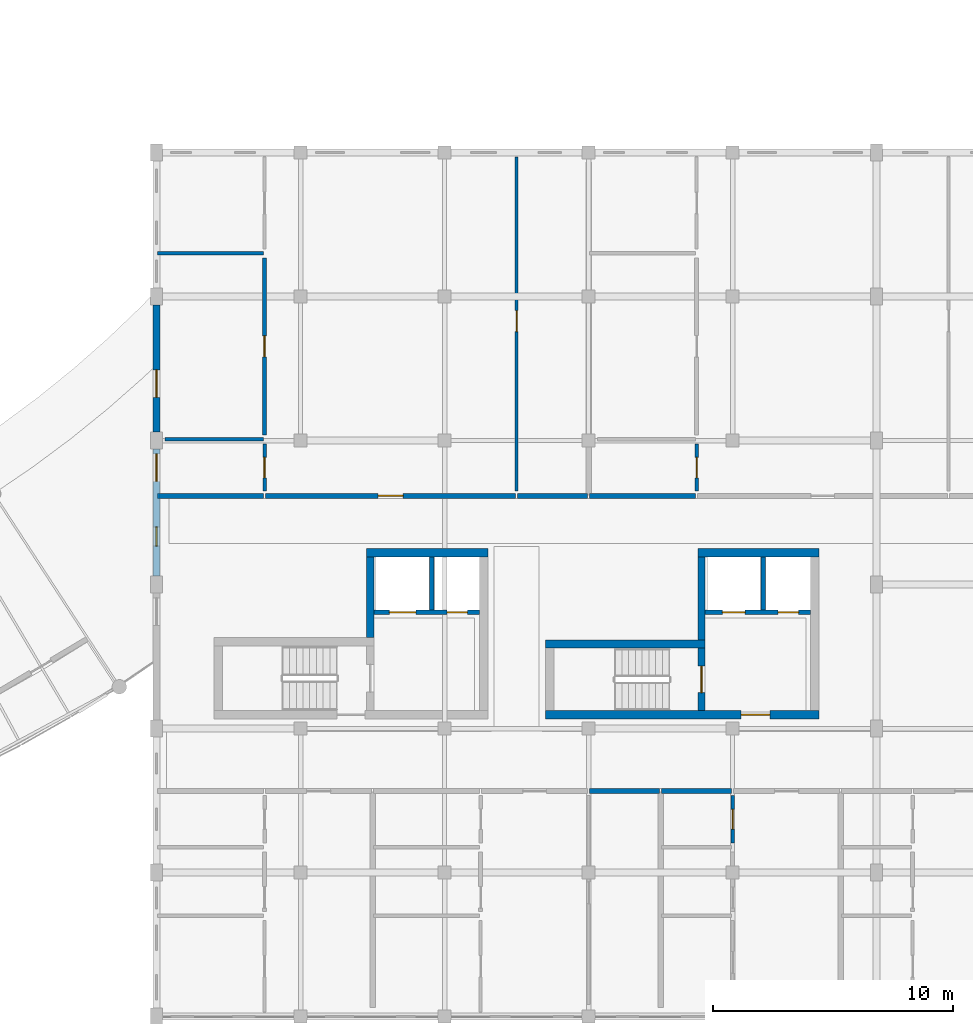
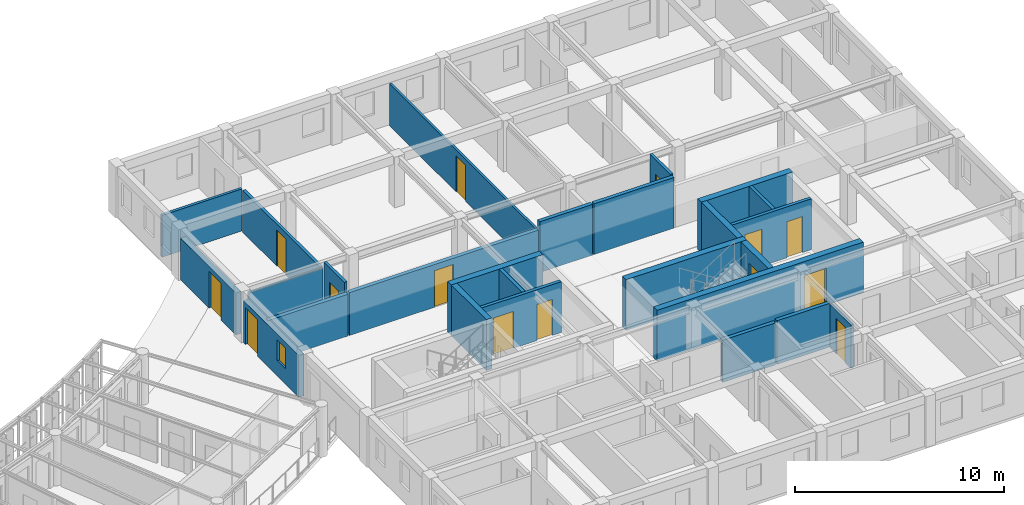
# One storey, part 65 of 101: 26 walls, 14 doors, 1 window, 15 openings.
"""IFC4 building model written with IfcOpenShell, lengths in metres."""

from ifc_helpers import new_model, si_unit, direction, frame, frame_2d, origin, place, context, subcontext, project, spatial, rectangle, extrude, material, layer, layer_set, type_object, element, fill, save


model = new_model("IFC4")

# Units and contexts
model_context = context("Model", 3, precision=1e-05, world=origin(), true_north=direction((0.0, 1.0)))
body_context = subcontext(model_context, "Body", "Model", "MODEL_VIEW")
ifc_project = project(units=[si_unit("LENGTHUNIT", "METRE"), si_unit("AREAUNIT", "SQUARE_METRE"), si_unit("VOLUMEUNIT", "CUBIC_METRE"), si_unit("PLANEANGLEUNIT", "RADIAN"), si_unit("MASSUNIT", "GRAM", prefix="KILO"), si_unit("POWERUNIT", "WATT"), si_unit("THERMODYNAMICTEMPERATUREUNIT", "KELVIN")], contexts=[model_context])

# Site, building, storey
site_placement = place(None, origin())
site = spatial("IfcSite", under=ifc_project, at=site_placement, CompositionType="ELEMENT")
building_placement = place(site_placement, origin())
building = spatial("IfcBuilding", under=site, at=building_placement, Name="Ruvembo Vaulted Housing Court", CompositionType="ELEMENT")
storey_placement = place(building_placement, frame((0.0, 0.0, 17.300048828125)))
storey = spatial("IfcBuildingStorey", under=building, at=storey_placement, Name="L05", CompositionType="ELEMENT", Elevation=17.300048828125)

# Wall
ifc_material_1 = material(Name="Concrete C35/45", Category="concrete")
ifc_layer_1 = layer(ifc_material_1, 0.300048828125, Name="Concrete C35/45")
ifc_layer_set_1 = layer_set([ifc_layer_1], Name="Concrete C35/45")
wall_type_1 = type_object("IfcWallType", Name="WL-CORE-300", PredefinedType="SHEAR", material=ifc_layer_set_1)
wall_1_placement = place(storey_placement, frame((110.89990234375, 15.800048828125, 0.0), z_axis=(0.0, 0.0, 1.0), x_axis=(0.0, 1.0, 0.0)))
element("IfcWall", 1, at=wall_1_placement, inside=storey, type_object=wall_type_1, Name="Core C1 L05 Upper West Shear Wall", PredefinedType="SHEAR", context=body_context, shape_type="SweptSolid", body=[
    extrude(rectangle(XDim=3.349853515625, YDim=0.300048828125, at=frame_2d((1.6748046875, 0.0))), origin(), (0.0, 0.0, 1.0), 2.96484375),
])

# Wall, opening, door
wall_2_placement = place(storey_placement, frame((124.699951171875, 12.75, 0.0), z_axis=(0.0, 0.0, 1.0), x_axis=(0.0, 1.0, 0.0)))
wall_2 = element("IfcWall", 2, at=wall_2_placement, inside=storey, type_object=wall_type_1, Name="Core C2 L05 Stair-Lobby Shear Wall", PredefinedType="SHEAR", context=body_context, shape_type="SweptSolid", body=[
    extrude(rectangle(XDim=2.60009765625, YDim=0.300048828125, at=frame_2d((1.300048828125, 0.0))), origin(), (0.0, 0.0, 1.0), 2.96484375),
])
opening_1_placement = place(wall_2_placement, frame((0.75, 0.0, 0.0)))
opening_1 = element("IfcOpeningElement", 3, at=opening_1_placement, cuts=wall_2, Name="Opening SD2", PredefinedType="OPENING", context=body_context, shape_type="SweptSolid", body=[
    extrude(rectangle(XDim=1.10009765625, YDim=2.14990234375, at=frame_2d((0.550048828125, 1.074951171875))), frame((0.0, 0.159912109375, 0.0), z_axis=(0.0, -1.0, 0.0), x_axis=(1.0, 0.0, 0.0)), (0.0, 0.0, 1.0), 0.320068359375),
])
ifc_material_2 = material(Name="Galvanised Painted Steel", Category="steel")
door_type_1 = type_object("IfcDoorType", Name="DR-STAIR-1100x2150", OperationType="NOTDEFINED", PredefinedType="DOOR", material=ifc_material_2)
door_1_placement = place(opening_1_placement, origin())
door_1 = element("IfcDoor", 4, at=door_1_placement, inside=storey, type_object=door_type_1, Name="Stair ST-C2 L05 Fire Door", OperationType="SINGLE_SWING_LEFT", OverallHeight=2.14990234375, OverallWidth=1.10009765625, PredefinedType="DOOR", context=body_context, shape_type="SweptSolid", body=[
    extrude(rectangle(XDim=1.10009765625, YDim=2.14990234375, at=frame_2d((0.550048828125, 1.074951171875))), frame((0.0, 0.02490234375, 0.0), z_axis=(0.0, -1.0, 0.0), x_axis=(1.0, 0.0, 0.0)), (0.0, 0.0, 1.0), 0.050048828125),
])
fill(opening_1, door_1)

# Walls
wall_3_placement = place(storey_placement, frame((124.699951171875, 15.699951171875, 0.0), z_axis=(0.0, 0.0, 1.0), x_axis=(0.0, 1.0, 0.0)))
element("IfcWall", 5, at=wall_3_placement, inside=storey, type_object=wall_type_1, Name="Core C2 L05 Upper West Shear Wall", PredefinedType="SHEAR", context=body_context, shape_type="SweptSolid", body=[
    extrude(rectangle(XDim=3.449951171875, YDim=0.300048828125, at=frame_2d((1.72509765625, 0.0))), origin(), (0.0, 0.0, 1.0), 2.96484375),
])
ifc_layer_2 = layer(ifc_material_1, 0.35009765625, Name="Concrete C35/45")
ifc_layer_set_2 = layer_set([ifc_layer_2], Name="Concrete C35/45")
wall_type_2 = type_object("IfcWallType", Name="WL-CORE-350", PredefinedType="SHEAR", material=ifc_layer_set_2)
wall_4_placement = place(storey_placement, frame((115.800048828125, 19.324951171875, 0.0), z_axis=(0.0, 0.0, 1.0), x_axis=(-1.0, 0.0, 0.0)))
element("IfcWall", 6, at=wall_4_placement, inside=storey, type_object=wall_type_2, Name="Core C1 L05 North Shear Wall", PredefinedType="SHEAR", context=body_context, shape_type="SweptSolid", body=[
    extrude(rectangle(XDim=5.050048828125, YDim=0.35009765625, at=frame_2d((2.52490234375, 0.0))), origin(), (0.0, 0.0, 1.0), 2.96484375),
])

# Wall, opening, door
wall_5_placement = place(storey_placement, frame((118.199951171875, 12.574951171875, 0.0), z_axis=(0.0, 0.0, 1.0), x_axis=(1.0, 0.0, 0.0)))
wall_5 = element("IfcWall", 7, at=wall_5_placement, inside=storey, type_object=wall_type_2, Name="Core C2 L05 South Shear Wall", PredefinedType="SHEAR", context=body_context, shape_type="SweptSolid", body=[
    extrude(rectangle(XDim=11.400146484375, YDim=0.35009765625, at=frame_2d((5.7001953125, 0.0))), origin(), (0.0, 0.0, 1.0), 2.96484375),
])
opening_2_placement = place(wall_5_placement, frame((8.14990234375, 0.0, 0.0)))
opening_2 = element("IfcOpeningElement", 8, at=opening_2_placement, cuts=wall_5, Name="Opening LD3", PredefinedType="OPENING", context=body_context, shape_type="SweptSolid", body=[
    extrude(rectangle(XDim=1.199951171875, YDim=2.14990234375, at=frame_2d((0.60009765625, 1.074951171875))), frame((0.0, 0.18505859375, 0.0), z_axis=(0.0, -1.0, 0.0), x_axis=(1.0, 0.0, 0.0)), (0.0, 0.0, 1.0), 0.3701171875),
])
door_type_2 = type_object("IfcDoorType", Name="DR-LOB-1200x2150", OperationType="NOTDEFINED", PredefinedType="DOOR", material=ifc_material_2)
door_2_placement = place(opening_2_placement, origin())
door_2 = element("IfcDoor", 9, at=door_2_placement, inside=storey, type_object=door_type_2, Name="Core C2 L05 Lobby Fire Door", OperationType="SINGLE_SWING_RIGHT", OverallHeight=2.14990234375, OverallWidth=1.199951171875, PredefinedType="DOOR", context=body_context, shape_type="SweptSolid", body=[
    extrude(rectangle(XDim=1.199951171875, YDim=2.14990234375, at=frame_2d((0.60009765625, 1.074951171875))), frame((0.0, 0.02490234375, 0.0), z_axis=(0.0, -1.0, 0.0), x_axis=(1.0, 0.0, 0.0)), (0.0, 0.0, 1.0), 0.050048828125),
])
fill(opening_2, door_2)

# Walls
wall_6_placement = place(storey_placement, frame((124.85009765625, 15.52490234375, 0.0), z_axis=(0.0, 0.0, 1.0), x_axis=(-1.0, 0.0, 0.0)))
element("IfcWall", 10, at=wall_6_placement, inside=storey, type_object=wall_type_2, Name="Core C2 L05 Stair North Shear Wall", PredefinedType="SHEAR", context=body_context, shape_type="SweptSolid", body=[
    extrude(rectangle(XDim=6.650146484375, YDim=0.35009765625, at=frame_2d((3.3251953125, 0.0))), origin(), (0.0, 0.0, 1.0), 2.96484375),
])
wall_7_placement = place(storey_placement, frame((129.60009765625, 19.324951171875, 0.0), z_axis=(0.0, 0.0, 1.0), x_axis=(-1.0, 0.0, 0.0)))
element("IfcWall", 11, at=wall_7_placement, inside=storey, type_object=wall_type_2, Name="Core C2 L05 North Shear Wall", PredefinedType="SHEAR", context=body_context, shape_type="SweptSolid", body=[
    extrude(rectangle(XDim=5.050048828125, YDim=0.35009765625, at=frame_2d((2.52490234375, 0.0))), origin(), (0.0, 0.0, 1.0), 2.96484375),
])
ifc_material_3 = material(Name="Concrete Blockwork 210", Category="masonry")
ifc_layer_3 = layer(ifc_material_3, 0.2099609375, Name="Concrete Blockwork 210")
ifc_layer_set_3 = layer_set([ifc_layer_3], Name="Concrete Blockwork 210")
wall_type_3 = type_object("IfcWallType", Name="WL-CORR-210", PredefinedType="SOLIDWALL", material=ifc_layer_set_3)
wall_8_placement = place(storey_placement, frame((120.0400390625, 9.39990234375, 0.0), z_axis=(0.0, 0.0, 1.0), x_axis=(1.0, 0.0, 0.0)))
element("IfcWall", 12, at=wall_8_placement, inside=storey, type_object=wall_type_3, Name="L05 Flat C-L05-S2 Corridor Wall 2 WL-INT-L05-01500", PredefinedType="SOLIDWALL", context=body_context, shape_type="SweptSolid", body=[
    extrude(rectangle(XDim=2.919921875, YDim=0.2099609375, at=frame_2d((1.4599609375, 0.0))), origin(), (0.0, 0.0, 1.0), 2.4580078125),
])
wall_9_placement = place(storey_placement, frame((123.0400390625, 9.39990234375, 0.0), z_axis=(0.0, 0.0, 1.0), x_axis=(1.0, 0.0, 0.0)))
element("IfcWall", 13, at=wall_9_placement, inside=storey, type_object=wall_type_3, Name="L05 Flat C-L05-S3 Corridor Wall WL-INT-L05-01503", PredefinedType="SOLIDWALL", context=body_context, shape_type="SweptSolid", body=[
    extrude(rectangle(XDim=2.919921875, YDim=0.2099609375, at=frame_2d((1.4599609375, 0.0))), origin(), (0.0, 0.0, 1.0), 2.5478515625),
])
wall_10_placement = place(storey_placement, frame((102.0400390625, 21.699951171875, 0.0), z_axis=(0.0, 0.0, 1.0), x_axis=(1.0, 0.0, 0.0)))
element("IfcWall", 14, at=wall_10_placement, inside=storey, type_object=wall_type_3, Name="L05 Flat C-L05-N1 Corridor Wall WL-INT-L05-01518", PredefinedType="SOLIDWALL", context=body_context, shape_type="SweptSolid", body=[
    extrude(rectangle(XDim=4.419921875, YDim=0.2099609375, at=frame_2d((2.2099609375, 0.0))), origin(), (0.0, 0.0, 1.0), 2.447021484375),
])

# Wall, opening, door
wall_11_placement = place(storey_placement, frame((106.5400390625, 21.699951171875, 0.0), z_axis=(0.0, 0.0, 1.0), x_axis=(1.0, 0.0, 0.0)))
wall_11 = element("IfcWall", 15, at=wall_11_placement, inside=storey, type_object=wall_type_3, Name="L05 Flat C-L05-N1 Entrance WL-INT-L05-01519", PredefinedType="SOLIDWALL", context=body_context, shape_type="SweptSolid", body=[
    extrude(rectangle(XDim=10.419921875, YDim=0.2099609375, at=frame_2d((5.2099609375, 0.0))), origin(), (0.0, 0.0, 1.0), 2.508056640625),
])
opening_3_placement = place(wall_11_placement, frame((4.68505859375, 0.0, 0.0)))
opening_3 = element("IfcOpeningElement", 16, at=opening_3_placement, cuts=wall_11, Name="Opening FD3", PredefinedType="OPENING", context=body_context, shape_type="SweptSolid", body=[
    extrude(rectangle(XDim=1.050048828125, YDim=2.14990234375, at=frame_2d((0.52490234375, 1.074951171875))), frame((0.0, 0.114990234375, 0.0), z_axis=(0.0, -1.0, 0.0), x_axis=(1.0, 0.0, 0.0)), (0.0, 0.0, 1.0), 0.22998046875),
])
ifc_material_4 = material(Name="FSC Hardwood and Engineered Timber", Category="wood")
door_type_3 = type_object("IfcDoorType", Name="DR-FLAT-1050x2150", OperationType="NOTDEFINED", PredefinedType="DOOR", material=ifc_material_4)
door_3_placement = place(opening_3_placement, origin())
door_3 = element("IfcDoor", 17, at=door_3_placement, inside=storey, type_object=door_type_3, Name="L05 Flat C-L05-N1 Entrance Door DR-INT-L05-00851", OperationType="SINGLE_SWING_LEFT", OverallHeight=2.14990234375, OverallWidth=1.050048828125, PredefinedType="DOOR", context=body_context, shape_type="SweptSolid", body=[
    extrude(rectangle(XDim=1.050048828125, YDim=2.14990234375, at=frame_2d((0.52490234375, 1.074951171875))), frame((0.0, 0.02490234375, 0.0), z_axis=(0.0, -1.0, 0.0), x_axis=(1.0, 0.0, 0.0)), (0.0, 0.0, 1.0), 0.050048828125),
])
fill(opening_3, door_3)

# Walls
wall_12_placement = place(storey_placement, frame((117.0400390625, 21.699951171875, 0.0), z_axis=(0.0, 0.0, 1.0), x_axis=(1.0, 0.0, 0.0)))
element("IfcWall", 18, at=wall_12_placement, inside=storey, type_object=wall_type_3, Name="L05 Flat C-L05-N1 Corridor Wall 2 WL-INT-L05-01525", PredefinedType="SOLIDWALL", context=body_context, shape_type="SweptSolid", body=[
    extrude(rectangle(XDim=2.919921875, YDim=0.2099609375, at=frame_2d((1.4599609375, 0.0))), origin(), (0.0, 0.0, 1.0), 2.96484375),
])
wall_13_placement = place(storey_placement, frame((120.0400390625, 21.699951171875, 0.0), z_axis=(0.0, 0.0, 1.0), x_axis=(1.0, 0.0, 0.0)))
element("IfcWall", 19, at=wall_13_placement, inside=storey, type_object=wall_type_3, Name="L05 Flat C-L05-N2 Corridor Wall WL-INT-L05-01527", PredefinedType="SOLIDWALL", context=body_context, shape_type="SweptSolid", body=[
    extrude(rectangle(XDim=4.419921875, YDim=0.2099609375, at=frame_2d((2.2099609375, 0.0))), origin(), (0.0, 0.0, 1.0), 2.96484375),
])

# Wall, opening, door
ifc_material_5 = material(Name="Rendered Masonry 285", Category="masonry")
ifc_layer_4 = layer(ifc_material_5, 0.284912109375, Name="Rendered Masonry 285")
ifc_layer_set_4 = layer_set([ifc_layer_4], Name="Rendered Masonry 285")
wall_type_4 = type_object("IfcWallType", Name="WL-EXT-285", PredefinedType="STANDARD", material=ifc_layer_set_4)
wall_14_placement = place(storey_placement, frame((102.0, 29.64990234375, 0.0), z_axis=(0.0, 0.0, 1.0), x_axis=(0.0, -1.0, 0.0)))
wall_14 = element("IfcWall", 20, at=wall_14_placement, inside=storey, type_object=wall_type_4, Name="Block C L05 Exterior Wall WEST #2", PredefinedType="STANDARD", context=body_context, shape_type="SweptSolid", body=[
    extrude(rectangle(XDim=5.2998046875, YDim=0.284912109375, at=frame_2d((2.64990234375, 0.0))), origin(), (0.0, 0.0, 1.0), 2.447021484375),
])
opening_4_placement = place(wall_14_placement, frame((2.699951171875, 0.0, 0.0)))
opening_4 = element("IfcOpeningElement", 21, at=opening_4_placement, cuts=wall_14, Name="Opening GD1", PredefinedType="OPENING", context=body_context, shape_type="SweptSolid", body=[
    extrude(rectangle(XDim=1.14990234375, YDim=2.14990234375, at=frame_2d((0.574951171875, 1.074951171875))), frame((0.0, 0.15234375, 0.0), z_axis=(0.0, -1.0, 0.0), x_axis=(1.0, 0.0, 0.0)), (0.0, 0.0, 1.0), 0.304931640625),
])
ifc_material_6 = material(Name="Thermally Broken Glazed Aluminium", Category="aluminium")
door_type_4 = type_object("IfcDoorType", Name="DR-GAL-1150x2150", OperationType="NOTDEFINED", PredefinedType="DOOR", material=ifc_material_6)
door_4_placement = place(opening_4_placement, frame((1.14990234375, 0.0, 0.0), z_axis=(0.0, 0.0, 1.0), x_axis=(-1.0, 0.0, 0.0)))
door_4 = element("IfcDoor", 22, at=door_4_placement, inside=storey, type_object=door_type_4, Name="Block C L05 Terrace or Gallery Door DR-TER-C-L05-062", OperationType="SINGLE_SWING_LEFT", OverallHeight=2.14990234375, OverallWidth=1.14990234375, PredefinedType="DOOR", context=body_context, shape_type="SweptSolid", body=[
    extrude(rectangle(XDim=1.14990234375, YDim=2.14990234375, at=frame_2d((0.574951171875, 1.074951171875))), frame((0.0, 0.02490234375, 0.0), z_axis=(0.0, -1.0, 0.0), x_axis=(1.0, 0.0, 0.0)), (0.0, 0.0, 1.0), 0.050048828125),
])
fill(opening_4, door_4)

# Wall, openings, door, window
wall_15_placement = place(storey_placement, frame((102.0, 23.64990234375, 0.0), z_axis=(0.0, 0.0, 1.0), x_axis=(0.0, -1.0, 0.0)))
wall_15 = element("IfcWall", 23, at=wall_15_placement, inside=storey, type_object=wall_type_4, Name="Block C L05 Exterior Wall WEST #3", PredefinedType="STANDARD", context=body_context, shape_type="SweptSolid", body=[
    extrude(rectangle(XDim=5.2998046875, YDim=0.284912109375, at=frame_2d((2.64990234375, 0.0))), origin(), (0.0, 0.0, 1.0), 2.447021484375),
])
opening_5_placement = place(wall_15_placement, frame((0.199951171875, 0.0, 0.0)))
opening_5 = element("IfcOpeningElement", 24, at=opening_5_placement, cuts=wall_15, Name="Opening GD1", PredefinedType="OPENING", context=body_context, shape_type="SweptSolid", body=[
    extrude(rectangle(XDim=1.14990234375, YDim=2.14990234375, at=frame_2d((0.574951171875, 1.074951171875))), frame((0.0, 0.15234375, 0.0), z_axis=(0.0, -1.0, 0.0), x_axis=(1.0, 0.0, 0.0)), (0.0, 0.0, 1.0), 0.304931640625),
])
opening_6_placement = place(wall_15_placement, frame((3.2451171875, 0.0, 0.89990234375)))
opening_6 = element("IfcOpeningElement", 25, at=opening_6_placement, cuts=wall_15, Name="Opening W02", PredefinedType="OPENING", context=body_context, shape_type="SweptSolid", body=[
    extrude(rectangle(XDim=0.800048828125, YDim=1.199951171875, at=frame_2d((0.39990234375, 0.60009765625))), frame((0.0, 0.15234375, 0.0), z_axis=(0.0, -1.0, 0.0), x_axis=(1.0, 0.0, 0.0)), (0.0, 0.0, 1.0), 0.304931640625),
])
door_5_placement = place(opening_5_placement, frame((1.14990234375, 0.0, 0.0), z_axis=(0.0, 0.0, 1.0), x_axis=(-1.0, 0.0, 0.0)))
door_5 = element("IfcDoor", 26, at=door_5_placement, inside=storey, type_object=door_type_4, Name="Block C L05 Terrace or Gallery Door DR-TER-C-L05-063", OperationType="SINGLE_SWING_RIGHT", OverallHeight=2.14990234375, OverallWidth=1.14990234375, PredefinedType="DOOR", context=body_context, shape_type="SweptSolid", body=[
    extrude(rectangle(XDim=1.14990234375, YDim=2.14990234375, at=frame_2d((0.574951171875, 1.074951171875))), frame((0.0, 0.02490234375, 0.0), z_axis=(0.0, -1.0, 0.0), x_axis=(1.0, 0.0, 0.0)), (0.0, 0.0, 1.0), 0.050048828125),
])
fill(opening_5, door_5)
ifc_material_7 = material(Name="Double Solar-Control Glazing in Aluminium Frame", Category="aluminium")
window_type = type_object("IfcWindowType", Name="WIN-0800x1200", PartitioningType="SINGLE_PANEL", PredefinedType="WINDOW", material=ifc_material_7)
window_placement = place(opening_6_placement, origin())
window = element("IfcWindow", 27, at=window_placement, inside=storey, type_object=window_type, Name="Block C L05 Window #1320", OverallHeight=1.199951171875, OverallWidth=0.800048828125, PartitioningType="SINGLE_PANEL", PredefinedType="WINDOW", context=body_context, shape_type="SweptSolid", body=[
    extrude(rectangle(XDim=0.800048828125, YDim=1.199951171875, at=frame_2d((0.39990234375, 0.60009765625))), frame((0.0, 0.030029296875, 0.0), z_axis=(0.0, -1.0, 0.0), x_axis=(1.0, 0.0, 0.0)), (0.0, 0.0, 1.0), 0.06005859375),
])
fill(opening_6, window)

# Wall, opening, door
ifc_material_8 = material(Name="Plasterboard Stud Partition 125", Category="gypsum")
ifc_layer_5 = layer(ifc_material_8, 0.125, Name="Plasterboard Stud Partition 125")
ifc_layer_set_5 = layer_set([ifc_layer_5], Name="Plasterboard Stud Partition 125")
wall_type_5 = type_object("IfcWallType", Name="WL-PART-125", PredefinedType="PARTITIONING", material=ifc_layer_set_5)
wall_16_placement = place(storey_placement, frame((117.0, 21.889892578125, 0.0), z_axis=(0.0, 0.0, 1.0), x_axis=(0.0, 1.0, 0.0)))
wall_16 = element("IfcWall", 28, at=wall_16_placement, inside=storey, type_object=wall_type_5, Name="L05 Flat C-L05-N1 Bedroom 2 WL-INT-L05-01526", PredefinedType="PARTITIONING", context=body_context, shape_type="SweptSolid", body=[
    extrude(rectangle(XDim=13.920166015625, YDim=0.125, at=frame_2d((6.9599609375, 0.0))), origin(), (0.0, 0.0, 1.0), 2.447021484375),
])
opening_7_placement = place(wall_16_placement, frame((6.64990234375, 0.0, 0.0)))
opening_7 = element("IfcOpeningElement", 29, at=opening_7_placement, cuts=wall_16, Name="Opening ID3", PredefinedType="OPENING", context=body_context, shape_type="SweptSolid", body=[
    extrude(rectangle(XDim=0.8798828125, YDim=2.10009765625, at=frame_2d((0.43994140625, 1.050048828125))), frame((0.0, 0.072509765625, 0.0), z_axis=(0.0, -1.0, 0.0), x_axis=(1.0, 0.0, 0.0)), (0.0, 0.0, 1.0), 0.14501953125),
])
door_type_5 = type_object("IfcDoorType", Name="DR-ROOM-0880x2100", OperationType="NOTDEFINED", PredefinedType="DOOR", material=ifc_material_4)
door_6_placement = place(opening_7_placement, origin())
door_6 = element("IfcDoor", 30, at=door_6_placement, inside=storey, type_object=door_type_5, Name="L05 Flat C-L05-N1 Bedroom 2 Door DR-INT-L05-00855", OperationType="SINGLE_SWING_LEFT", OverallHeight=2.10009765625, OverallWidth=0.8798828125, PredefinedType="DOOR", context=body_context, shape_type="SweptSolid", body=[
    extrude(rectangle(XDim=0.8798828125, YDim=2.10009765625, at=frame_2d((0.43994140625, 1.050048828125))), frame((0.0, 0.02490234375, 0.0), z_axis=(0.0, -1.0, 0.0), x_axis=(1.0, 0.0, 0.0)), (0.0, 0.0, 1.0), 0.050048828125),
])
fill(opening_7, door_6)

ifc_material_9 = material(Name="Moisture-Resistant Wet Partition 150", Category="gypsum")
ifc_layer_6 = layer(ifc_material_9, 0.14990234375, Name="Moisture-Resistant Wet Partition 150")
ifc_layer_set_6 = layer_set([ifc_layer_6], Name="Moisture-Resistant Wet Partition 150")
wall_type_6 = type_object("IfcWallType", Name="WL-PART-150", PredefinedType="PARTITIONING", material=ifc_layer_set_6)
wall_17_placement = place(storey_placement, frame((126.0, 7.239990234375, 0.0), z_axis=(0.0, 0.0, 1.0), x_axis=(0.0, 1.0, 0.0)))
wall_17 = element("IfcWall", 31, at=wall_17_placement, inside=storey, type_object=wall_type_6, Name="L05 Flat C-L05-S3 Bathroom WL-INT-L05-01507", PredefinedType="PARTITIONING", context=body_context, shape_type="SweptSolid", body=[
    extrude(rectangle(XDim=1.969970703125, YDim=0.14990234375, at=frame_2d((0.98486328125, 0.0))), origin(), (0.0, 0.0, 1.0), 2.5478515625),
])
opening_8_placement = place(wall_17_placement, frame((0.574951171875, 0.0, 0.0)))
opening_8 = element("IfcOpeningElement", 32, at=opening_8_placement, cuts=wall_17, Name="Opening ID4", PredefinedType="OPENING", context=body_context, shape_type="SweptSolid", body=[
    extrude(rectangle(XDim=0.820068359375, YDim=2.080078125, at=frame_2d((0.41015625, 1.0400390625))), frame((0.0, 0.0849609375, 0.0), z_axis=(0.0, -1.0, 0.0), x_axis=(1.0, 0.0, 0.0)), (0.0, 0.0, 1.0), 0.169921875),
])
door_type_6 = type_object("IfcDoorType", Name="DR-WET-0820x2080", OperationType="NOTDEFINED", PredefinedType="DOOR", material=ifc_material_4)
door_7_placement = place(opening_8_placement, origin())
door_7 = element("IfcDoor", 33, at=door_7_placement, inside=storey, type_object=door_type_6, Name="L05 Flat C-L05-S3 Bathroom Door DR-INT-L05-00846", OperationType="SINGLE_SWING_RIGHT", OverallHeight=2.080078125, OverallWidth=0.820068359375, PredefinedType="DOOR", context=body_context, shape_type="SweptSolid", body=[
    extrude(rectangle(XDim=0.820068359375, YDim=2.080078125, at=frame_2d((0.41015625, 1.0400390625))), frame((0.0, 0.02490234375, 0.0), z_axis=(0.0, -1.0, 0.0), x_axis=(1.0, 0.0, 0.0)), (0.0, 0.0, 1.0), 0.050048828125),
])
fill(opening_8, door_7)

wall_18_placement = place(storey_placement, frame((106.5, 21.889892578125, 0.0), z_axis=(0.0, 0.0, 1.0), x_axis=(0.0, 1.0, 0.0)))
wall_18 = element("IfcWall", 34, at=wall_18_placement, inside=storey, type_object=wall_type_6, Name="L05 Flat C-L05-N1 Bathroom WL-INT-L05-01522", PredefinedType="PARTITIONING", context=body_context, shape_type="SweptSolid", body=[
    extrude(rectangle(XDim=1.97021484375, YDim=0.14990234375, at=frame_2d((0.985107421875, 0.0))), origin(), (0.0, 0.0, 1.0), 2.96484375),
])
opening_9_placement = place(wall_18_placement, frame((0.56005859375, 0.0, 0.0)))
opening_9 = element("IfcOpeningElement", 35, at=opening_9_placement, cuts=wall_18, Name="Opening ID2", PredefinedType="OPENING", context=body_context, shape_type="SweptSolid", body=[
    extrude(rectangle(XDim=0.85009765625, YDim=2.10009765625, at=frame_2d((0.425048828125, 1.050048828125))), frame((0.0, 0.0849609375, 0.0), z_axis=(0.0, -1.0, 0.0), x_axis=(1.0, 0.0, 0.0)), (0.0, 0.0, 1.0), 0.169921875),
])
door_type_7 = type_object("IfcDoorType", Name="DR-WET-0850x2100", OperationType="NOTDEFINED", PredefinedType="DOOR", material=ifc_material_4)
door_8_placement = place(opening_9_placement, origin())
door_8 = element("IfcDoor", 36, at=door_8_placement, inside=storey, type_object=door_type_7, Name="L05 Flat C-L05-N1 Bathroom Door DR-INT-L05-00854", OperationType="SINGLE_SWING_RIGHT", OverallHeight=2.10009765625, OverallWidth=0.85009765625, PredefinedType="DOOR", context=body_context, shape_type="SweptSolid", body=[
    extrude(rectangle(XDim=0.85009765625, YDim=2.10009765625, at=frame_2d((0.425048828125, 1.050048828125))), frame((0.0, 0.02490234375, 0.0), z_axis=(0.0, -1.0, 0.0), x_axis=(1.0, 0.0, 0.0)), (0.0, 0.0, 1.0), 0.050048828125),
])
fill(opening_9, door_8)

# Walls
wall_19_placement = place(storey_placement, frame((102.0400390625, 31.800048828125, 0.0), z_axis=(0.0, 0.0, 1.0), x_axis=(1.0, 0.0, 0.0)))
element("IfcWall", 37, at=wall_19_placement, inside=storey, type_object=wall_type_6, Name="L05 Flat C-L05-N1 Wet Wall 1 WL-INT-L05-01523", PredefinedType="PARTITIONING", context=body_context, shape_type="SweptSolid", body=[
    extrude(rectangle(XDim=4.419921875, YDim=0.14990234375, at=frame_2d((2.2099609375, 0.0))), origin(), (0.0, 0.0, 1.0), 2.447021484375),
])
wall_20_placement = place(storey_placement, frame((102.360107421875, 24.050048828125, 0.0), z_axis=(0.0, 0.0, 1.0), x_axis=(1.0, 0.0, 0.0)))
element("IfcWall", 38, at=wall_20_placement, inside=storey, type_object=wall_type_6, Name="L05 Flat C-L05-N1 Wet Wall 2 WL-INT-L05-01524", PredefinedType="PARTITIONING", context=body_context, shape_type="SweptSolid", body=[
    extrude(rectangle(XDim=4.099853515625, YDim=0.14990234375, at=frame_2d((2.0498046875, 0.0))), origin(), (0.0, 0.0, 1.0), 2.508056640625),
])

# Wall, opening, door
wall_21_placement = place(storey_placement, frame((124.5, 21.889892578125, 0.0), z_axis=(0.0, 0.0, 1.0), x_axis=(0.0, 1.0, 0.0)))
wall_21 = element("IfcWall", 39, at=wall_21_placement, inside=storey, type_object=wall_type_6, Name="L05 Flat C-L05-N2 Bathroom WL-INT-L05-01531", PredefinedType="PARTITIONING", context=body_context, shape_type="SweptSolid", body=[
    extrude(rectangle(XDim=1.97021484375, YDim=0.14990234375, at=frame_2d((0.985107421875, 0.0))), origin(), (0.0, 0.0, 1.0), 2.96484375),
])
opening_10_placement = place(wall_21_placement, frame((0.56005859375, 0.0, 0.0)))
opening_10 = element("IfcOpeningElement", 40, at=opening_10_placement, cuts=wall_21, Name="Opening ID2", PredefinedType="OPENING", context=body_context, shape_type="SweptSolid", body=[
    extrude(rectangle(XDim=0.85009765625, YDim=2.10009765625, at=frame_2d((0.425048828125, 1.050048828125))), frame((0.0, 0.0849609375, 0.0), z_axis=(0.0, -1.0, 0.0), x_axis=(1.0, 0.0, 0.0)), (0.0, 0.0, 1.0), 0.169921875),
])
door_9_placement = place(opening_10_placement, origin())
door_9 = element("IfcDoor", 41, at=door_9_placement, inside=storey, type_object=door_type_7, Name="L05 Flat C-L05-N2 Bathroom Door DR-INT-L05-00859", OperationType="SINGLE_SWING_LEFT", OverallHeight=2.10009765625, OverallWidth=0.85009765625, PredefinedType="DOOR", context=body_context, shape_type="SweptSolid", body=[
    extrude(rectangle(XDim=0.85009765625, YDim=2.10009765625, at=frame_2d((0.425048828125, 1.050048828125))), frame((0.0, 0.02490234375, 0.0), z_axis=(0.0, -1.0, 0.0), x_axis=(1.0, 0.0, 0.0)), (0.0, 0.0, 1.0), 0.050048828125),
])
fill(opening_10, door_9)

ifc_material_10 = material(Name="Acoustic Service Chase Wall 160", Category="gypsum")
ifc_layer_7 = layer(ifc_material_10, 0.159912109375, Name="Acoustic Service Chase Wall 160")
ifc_layer_set_7 = layer_set([ifc_layer_7], Name="Acoustic Service Chase Wall 160")
wall_type_7 = type_object("IfcWallType", Name="WL-PLUMB-160", PredefinedType="PLUMBINGWALL", material=ifc_layer_set_7)
wall_22_placement = place(storey_placement, frame((106.5, 24.239990234375, 0.0), z_axis=(0.0, 0.0, 1.0), x_axis=(0.0, 1.0, 0.0)))
wall_22 = element("IfcWall", 42, at=wall_22_placement, inside=storey, type_object=wall_type_7, Name="L05 Flat C-L05-N1 Kitchen WL-INT-L05-01521", PredefinedType="PLUMBINGWALL", context=body_context, shape_type="SweptSolid", body=[
    extrude(rectangle(XDim=7.3701171875, YDim=0.159912109375, at=frame_2d((3.68505859375, 0.0))), origin(), (0.0, 0.0, 1.0), 2.447021484375),
])
opening_11_placement = place(wall_22_placement, frame((3.2451171875, 0.0, 0.0)))
opening_11 = element("IfcOpeningElement", 43, at=opening_11_placement, cuts=wall_22, Name="Opening ID3", PredefinedType="OPENING", context=body_context, shape_type="SweptSolid", body=[
    extrude(rectangle(XDim=0.8798828125, YDim=2.10009765625, at=frame_2d((0.43994140625, 1.050048828125))), frame((0.0, 0.08984375, 0.0), z_axis=(0.0, -1.0, 0.0), x_axis=(1.0, 0.0, 0.0)), (0.0, 0.0, 1.0), 0.179931640625),
])
door_10_placement = place(opening_11_placement, origin())
door_10 = element("IfcDoor", 44, at=door_10_placement, inside=storey, type_object=door_type_5, Name="L05 Flat C-L05-N1 Kitchen Door DR-INT-L05-00853", OperationType="SINGLE_SWING_LEFT", OverallHeight=2.10009765625, OverallWidth=0.8798828125, PredefinedType="DOOR", context=body_context, shape_type="SweptSolid", body=[
    extrude(rectangle(XDim=0.8798828125, YDim=2.10009765625, at=frame_2d((0.43994140625, 1.050048828125))), frame((0.0, 0.02490234375, 0.0), z_axis=(0.0, -1.0, 0.0), x_axis=(1.0, 0.0, 0.0)), (0.0, 0.0, 1.0), 0.050048828125),
])
fill(opening_11, door_10)

# Wall, openings, doors
ifc_material_11 = material(Name="Fire-Rated Masonry Shaft 180", Category="masonry")
ifc_layer_8 = layer(ifc_material_11, 0.179931640625, Name="Fire-Rated Masonry Shaft 180")
ifc_layer_set_8 = layer_set([ifc_layer_8], Name="Fire-Rated Masonry Shaft 180")
wall_type_8 = type_object("IfcWallType", Name="WL-SHAFT-180", PredefinedType="SOLIDWALL", material=ifc_layer_set_8)
wall_23_placement = place(storey_placement, frame((111.050048828125, 16.85009765625, 0.0), z_axis=(0.0, 0.0, 1.0), x_axis=(1.0, 0.0, 0.0)))
wall_23 = element("IfcWall", 45, at=wall_23_placement, inside=storey, type_object=wall_type_8, Name="Core C1 L05 Lift and Riser Front Wall", PredefinedType="SOLIDWALL", context=body_context, shape_type="SweptSolid", body=[
    extrude(rectangle(XDim=4.39990234375, YDim=0.179931640625, at=frame_2d((2.199951171875, 0.0))), origin(), (0.0, 0.0, 1.0), 2.96484375),
])
opening_12_placement = place(wall_23_placement, frame((0.64990234375, 0.0, 0.0)))
opening_12 = element("IfcOpeningElement", 46, at=opening_12_placement, cuts=wall_23, Name="Opening LD-LP-C1-L05", PredefinedType="OPENING", context=body_context, shape_type="SweptSolid", body=[
    extrude(rectangle(XDim=1.10009765625, YDim=2.14990234375, at=frame_2d((0.550048828125, 1.074951171875))), frame((0.0, 0.099853515625, 0.0), z_axis=(0.0, -1.0, 0.0), x_axis=(1.0, 0.0, 0.0)), (0.0, 0.0, 1.0), 0.199951171875),
])
opening_13_placement = place(wall_23_placement, frame((3.050048828125, 0.0, 0.0)))
opening_13 = element("IfcOpeningElement", 47, at=opening_13_placement, cuts=wall_23, Name="Opening RD1", PredefinedType="OPENING", context=body_context, shape_type="SweptSolid", body=[
    extrude(rectangle(XDim=0.85009765625, YDim=2.10009765625, at=frame_2d((0.425048828125, 1.050048828125))), frame((0.0, 0.099853515625, 0.0), z_axis=(0.0, -1.0, 0.0), x_axis=(1.0, 0.0, 0.0)), (0.0, 0.0, 1.0), 0.199951171875),
])
ifc_material_12 = material(Name="Brushed Stainless Steel 304", Category="steel")
door_type_8 = type_object("IfcDoorType", Name="DR-LIFT-1100x2150", OperationType="NOTDEFINED", PredefinedType="DOOR", material=ifc_material_12)
door_11_placement = place(opening_12_placement, origin())
door_11 = element("IfcDoor", 48, at=door_11_placement, inside=storey, type_object=door_type_8, Name="Lift LP-C1 L05 Sliding Landing Door", OperationType="SLIDING_TO_LEFT", OverallHeight=2.14990234375, OverallWidth=1.10009765625, PredefinedType="DOOR", context=body_context, shape_type="SweptSolid", body=[
    extrude(rectangle(XDim=1.10009765625, YDim=2.14990234375, at=frame_2d((0.550048828125, 1.074951171875))), frame((0.0, 0.02490234375, 0.0), z_axis=(0.0, -1.0, 0.0), x_axis=(1.0, 0.0, 0.0)), (0.0, 0.0, 1.0), 0.050048828125),
])
fill(opening_12, door_11)
door_type_9 = type_object("IfcDoorType", Name="DR-RISER-0850x2100", OperationType="NOTDEFINED", PredefinedType="DOOR", material=ifc_material_2)
door_12_placement = place(opening_13_placement, frame((0.85009765625, 0.0, 0.0), z_axis=(0.0, 0.0, 1.0), x_axis=(-1.0, 0.0, 0.0)))
door_12 = element("IfcDoor", 49, at=door_12_placement, inside=storey, type_object=door_type_9, Name="Core C1 L05 Service Riser Door", OperationType="SINGLE_SWING_LEFT", OverallHeight=2.10009765625, OverallWidth=0.85009765625, PredefinedType="DOOR", context=body_context, shape_type="SweptSolid", body=[
    extrude(rectangle(XDim=0.85009765625, YDim=2.10009765625, at=frame_2d((0.425048828125, 1.050048828125))), frame((0.0, 0.02490234375, 0.0), z_axis=(0.0, -1.0, 0.0), x_axis=(1.0, 0.0, 0.0)), (0.0, 0.0, 1.0), 0.050048828125),
])
fill(opening_13, door_12)

# Wall
wall_24_placement = place(storey_placement, frame((113.469970703125, 16.93994140625, 0.0), z_axis=(0.0, 0.0, 1.0), x_axis=(0.0, 1.0, 0.0)))
element("IfcWall", 50, at=wall_24_placement, inside=storey, type_object=wall_type_8, Name="Core C1 L05 Shaft-Riser Divider Wall", PredefinedType="SOLIDWALL", context=body_context, shape_type="SweptSolid", body=[
    extrude(rectangle(XDim=2.2099609375, YDim=0.179931640625, at=frame_2d((1.10498046875, 0.0))), origin(), (0.0, 0.0, 1.0), 2.96484375),
])

# Wall, openings, doors
wall_25_placement = place(storey_placement, frame((124.85009765625, 16.85009765625, 0.0), z_axis=(0.0, 0.0, 1.0), x_axis=(1.0, 0.0, 0.0)))
wall_25 = element("IfcWall", 51, at=wall_25_placement, inside=storey, type_object=wall_type_8, Name="Core C2 L05 Lift and Riser Front Wall", PredefinedType="SOLIDWALL", context=body_context, shape_type="SweptSolid", body=[
    extrude(rectangle(XDim=4.39990234375, YDim=0.179931640625, at=frame_2d((2.199951171875, 0.0))), origin(), (0.0, 0.0, 1.0), 2.96484375),
])
opening_14_placement = place(wall_25_placement, frame((0.72509765625, 0.0, 0.0)))
opening_14 = element("IfcOpeningElement", 52, at=opening_14_placement, cuts=wall_25, Name="Opening LD-LP-C2-L05", PredefinedType="OPENING", context=body_context, shape_type="SweptSolid", body=[
    extrude(rectangle(XDim=0.949951171875, YDim=2.14990234375, at=frame_2d((0.47509765625, 1.074951171875))), frame((0.0, 0.099853515625, 0.0), z_axis=(0.0, -1.0, 0.0), x_axis=(1.0, 0.0, 0.0)), (0.0, 0.0, 1.0), 0.199951171875),
])
opening_15_placement = place(wall_25_placement, frame((3.050048828125, 0.0, 0.0)))
opening_15 = element("IfcOpeningElement", 53, at=opening_15_placement, cuts=wall_25, Name="Opening RD1", PredefinedType="OPENING", context=body_context, shape_type="SweptSolid", body=[
    extrude(rectangle(XDim=0.85009765625, YDim=2.10009765625, at=frame_2d((0.425048828125, 1.050048828125))), frame((0.0, 0.099853515625, 0.0), z_axis=(0.0, -1.0, 0.0), x_axis=(1.0, 0.0, 0.0)), (0.0, 0.0, 1.0), 0.199951171875),
])
door_type_10 = type_object("IfcDoorType", Name="DR-LIFT-0950x2150", OperationType="NOTDEFINED", PredefinedType="DOOR", material=ifc_material_12)
door_13_placement = place(opening_14_placement, origin())
door_13 = element("IfcDoor", 54, at=door_13_placement, inside=storey, type_object=door_type_10, Name="Lift LP-C2 L05 Sliding Landing Door", OperationType="SLIDING_TO_LEFT", OverallHeight=2.14990234375, OverallWidth=0.949951171875, PredefinedType="DOOR", context=body_context, shape_type="SweptSolid", body=[
    extrude(rectangle(XDim=0.949951171875, YDim=2.14990234375, at=frame_2d((0.47509765625, 1.074951171875))), frame((0.0, 0.02490234375, 0.0), z_axis=(0.0, -1.0, 0.0), x_axis=(1.0, 0.0, 0.0)), (0.0, 0.0, 1.0), 0.050048828125),
])
fill(opening_14, door_13)
door_14_placement = place(opening_15_placement, frame((0.85009765625, 0.0, 0.0), z_axis=(0.0, 0.0, 1.0), x_axis=(-1.0, 0.0, 0.0)))
door_14 = element("IfcDoor", 55, at=door_14_placement, inside=storey, type_object=door_type_9, Name="Core C2 L05 Service Riser Door", OperationType="SINGLE_SWING_RIGHT", OverallHeight=2.10009765625, OverallWidth=0.85009765625, PredefinedType="DOOR", context=body_context, shape_type="SweptSolid", body=[
    extrude(rectangle(XDim=0.85009765625, YDim=2.10009765625, at=frame_2d((0.425048828125, 1.050048828125))), frame((0.0, 0.02490234375, 0.0), z_axis=(0.0, -1.0, 0.0), x_axis=(1.0, 0.0, 0.0)), (0.0, 0.0, 1.0), 0.050048828125),
])
fill(opening_15, door_14)

# Wall
wall_26_placement = place(storey_placement, frame((127.27001953125, 16.93994140625, 0.0), z_axis=(0.0, 0.0, 1.0), x_axis=(0.0, 1.0, 0.0)))
element("IfcWall", 56, at=wall_26_placement, inside=storey, type_object=wall_type_8, Name="Core C2 L05 Shaft-Riser Divider Wall", PredefinedType="SOLIDWALL", context=body_context, shape_type="SweptSolid", body=[
    extrude(rectangle(XDim=2.2099609375, YDim=0.179931640625, at=frame_2d((1.10498046875, 0.0))), origin(), (0.0, 0.0, 1.0), 2.96484375),
])

save(model, "model.ifc")
